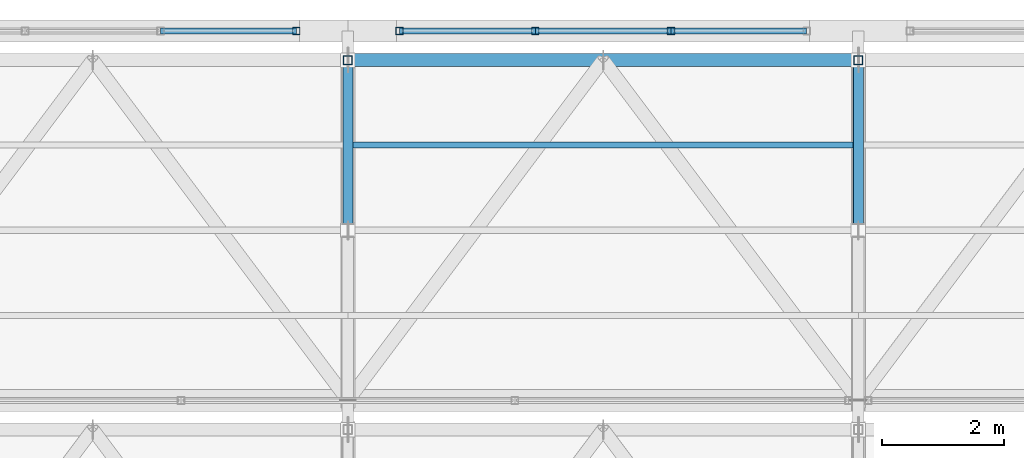
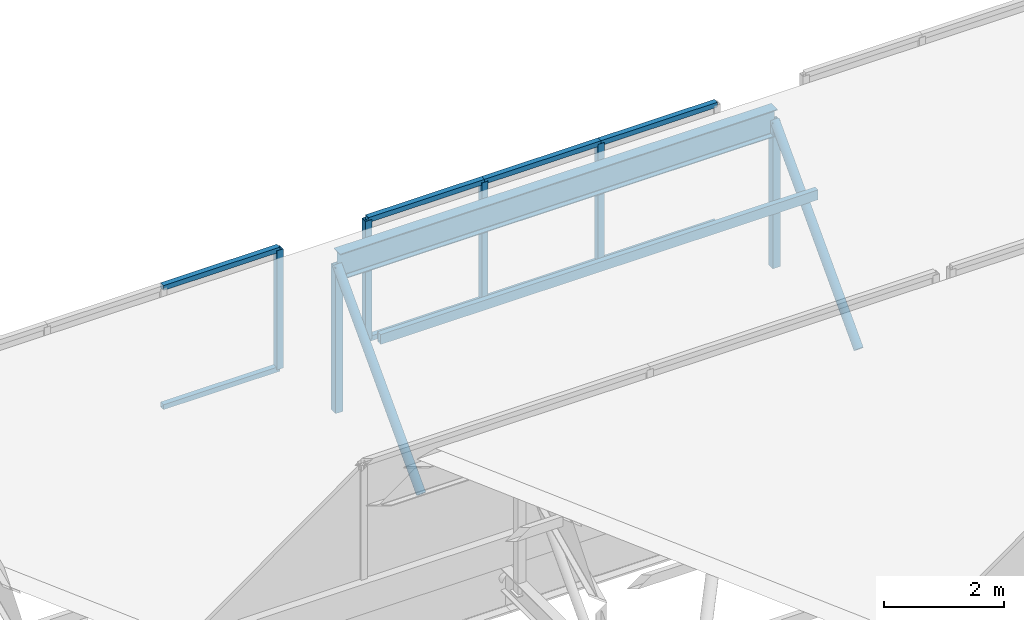
# One storey, part 114 of 217: 18 members, 2 elements without a shape of their own.
"""IFC4 building model written with IfcOpenShell, lengths in metres."""

from ifc_helpers import new_model, si_unit, direction, frame, origin, origin_2d, place, context, subcontext, project, spatial, hollow_rectangle, hollow_circle, i_section, extrude, material, material_profile, profile_set, type_object, element, aggregate, save


model = new_model("IFC4")

# Units and contexts
model_context = context("Model", 3, precision=1e-05, world=origin(), true_north=direction((0.0, 1.0)))
body_context = subcontext(model_context, "Body", "Model", "MODEL_VIEW")
ifc_project = project(units=[si_unit("LENGTHUNIT", "METRE"), si_unit("AREAUNIT", "SQUARE_METRE"), si_unit("VOLUMEUNIT", "CUBIC_METRE"), si_unit("PLANEANGLEUNIT", "RADIAN"), si_unit("MASSUNIT", "GRAM", prefix="KILO")], contexts=[model_context])

# Site, building, storey
site_placement = place(None, origin())
site = spatial("IfcSite", under=ifc_project, at=site_placement, CompositionType="ELEMENT")
building_placement = place(site_placement, origin())
building = spatial("IfcBuilding", under=site, at=building_placement, Name="Zuvorla Pavilion Media Centre", CompositionType="ELEMENT")
storey_placement = place(building_placement, frame((0.0, 0.0, 9.60009765625)))
storey = spatial("IfcBuildingStorey", under=building, at=storey_placement, Name="L02", CompositionType="ELEMENT", Elevation=9.60009765625)

# Curtain wall, member
ifc_material_1 = material(Name="Unitised anodised aluminium and solar glass curtain wall", Category="aluminium")
curtain_wall_type = type_object("IfcCurtainWallType", Name="CW-SYS-89", PredefinedType="USERDEFINED", material=ifc_material_1)
curtain_wall_1_placement = place(storey_placement, origin())
curtain_wall_1 = element("IfcCurtainWall", 1, at=curtain_wall_1_placement, inside=storey, type_object=curtain_wall_type, Name="L02 curtain wall CW89 216", ObjectType="CURTAIN WALL", PredefinedType="USERDEFINED")
ifc_material_2 = material(Name="Anodised aluminium 6063-T6", Category="aluminium")
ifc_material_profile_1 = material_profile(ifc_material_2, hollow_rectangle(XDim=0.1201171875, YDim=0.1201171875, WallThickness=0.0048828125, at=origin_2d()), Name="ALU MULL 120x120")
ifc_profile_set_1 = profile_set([ifc_material_profile_1], Name="Anodised aluminium 6063-T6")
member_type_1 = type_object("IfcMemberType", Name="CW-MULL-120", PredefinedType="MULLION", material=ifc_profile_set_1)
member_1_placement = place(storey_placement, frame((74.349609375, 120.0, 0.0), z_axis=(0.0, 0.0, 1.0), x_axis=(1.0, 0.0, 0.0)))
member_1 = element("IfcMember", 2, at=member_1_placement, type_object=member_type_1, Name="CW89 mullion 4", PredefinedType="MULLION", context=body_context, shape_type="SweptSolid", body=[
    extrude(hollow_rectangle(XDim=0.1201171875, YDim=0.1201171875, WallThickness=0.0048828125, at=origin_2d()), origin(), (0.0, 0.0, 1.0), 2.419921875),
])

# Curtain wall, members
curtain_wall_2_placement = place(storey_placement, origin())
curtain_wall_2 = element("IfcCurtainWall", 3, at=curtain_wall_2_placement, inside=storey, type_object=curtain_wall_type, Name="L02 curtain wall CW89 217", ObjectType="CURTAIN WALL", PredefinedType="USERDEFINED")
member_2_placement = place(storey_placement, frame((76.05029296875, 120.0, 0.0), z_axis=(0.0, 0.0, 1.0), x_axis=(1.0, 0.0, 0.0)))
member_2 = element("IfcMember", 4, at=member_2_placement, type_object=member_type_1, Name="CW89 mullion 1", PredefinedType="MULLION", context=body_context, shape_type="SweptSolid", body=[
    extrude(hollow_rectangle(XDim=0.1201171875, YDim=0.1201171875, WallThickness=0.0048828125, at=origin_2d()), origin(), (0.0, 0.0, 1.0), 2.419921875),
])
member_3_placement = place(storey_placement, frame((78.283447265625, 120.0, 0.0), z_axis=(0.0, 0.0, 1.0), x_axis=(1.0, 0.0, 0.0)))
member_3 = element("IfcMember", 5, at=member_3_placement, type_object=member_type_1, Name="CW89 mullion 2", PredefinedType="MULLION", context=body_context, shape_type="SweptSolid", body=[
    extrude(hollow_rectangle(XDim=0.1201171875, YDim=0.1201171875, WallThickness=0.0048828125, at=origin_2d()), origin(), (0.0, 0.0, 1.0), 2.419921875),
])
member_4_placement = place(storey_placement, frame((80.5166015625, 120.0, 0.0), z_axis=(0.0, 0.0, 1.0), x_axis=(1.0, 0.0, 0.0)))
member_4 = element("IfcMember", 6, at=member_4_placement, type_object=member_type_1, Name="CW89 mullion 3", PredefinedType="MULLION", context=body_context, shape_type="SweptSolid", body=[
    extrude(hollow_rectangle(XDim=0.1201171875, YDim=0.1201171875, WallThickness=0.0048828125, at=origin_2d()), origin(), (0.0, 0.0, 1.0), 2.419921875),
])

# Member
ifc_material_profile_2 = material_profile(ifc_material_2, hollow_rectangle(XDim=0.10009765625, YDim=0.10009765625, WallThickness=0.00439453125, at=origin_2d()), Name="ALU TRAN 100x100")
ifc_profile_set_2 = profile_set([ifc_material_profile_2], Name="Anodised aluminium 6063-T6")
member_type_2 = type_object("IfcMemberType", Name="CW-TRAN-100", PredefinedType="USERDEFINED", material=ifc_profile_set_2)
member_5_placement = place(storey_placement, frame((72.116455078125, 120.0, 0.0), z_axis=(1.0, 0.0, 0.0), x_axis=(0.0, 1.0, 0.0)))
member_5 = element("IfcMember", 7, at=member_5_placement, type_object=member_type_2, Name="CW89 transom 3.1", ObjectType="TRANSOM", PredefinedType="USERDEFINED", context=body_context, shape_type="SweptSolid", body=[
    extrude(hollow_rectangle(XDim=0.10009765625, YDim=0.10009765625, WallThickness=0.00439453125, at=origin_2d()), origin(), (0.0, 0.0, 1.0), 2.233154296875),
])

member_6_placement = place(storey_placement, frame((72.116455078125, 120.0, 2.419921875), z_axis=(1.0, 0.0, 0.0), x_axis=(0.0, 1.0, 0.0)))
member_6 = element("IfcMember", 8, at=member_6_placement, type_object=member_type_2, Name="CW89 transom 3.2", ObjectType="TRANSOM", PredefinedType="USERDEFINED", context=body_context, shape_type="SweptSolid", body=[
    extrude(hollow_rectangle(XDim=0.10009765625, YDim=0.10009765625, WallThickness=0.00439453125, at=origin_2d()), origin(), (0.0, 0.0, 1.0), 2.233154296875),
])

aggregate(curtain_wall_1, [member_1, member_5, member_6])

member_7_placement = place(storey_placement, frame((76.05029296875, 120.0, 0.0), z_axis=(1.0, 0.0, 0.0), x_axis=(0.0, 1.0, 0.0)))
member_7 = element("IfcMember", 9, at=member_7_placement, type_object=member_type_2, Name="CW89 transom 1.1", ObjectType="TRANSOM", PredefinedType="USERDEFINED", context=body_context, shape_type="SweptSolid", body=[
    extrude(hollow_rectangle(XDim=0.10009765625, YDim=0.10009765625, WallThickness=0.00439453125, at=origin_2d()), origin(), (0.0, 0.0, 1.0), 2.233154296875),
])

member_8_placement = place(storey_placement, frame((76.05029296875, 120.0, 2.419921875), z_axis=(1.0, 0.0, 0.0), x_axis=(0.0, 1.0, 0.0)))
member_8 = element("IfcMember", 10, at=member_8_placement, type_object=member_type_2, Name="CW89 transom 1.2", ObjectType="TRANSOM", PredefinedType="USERDEFINED", context=body_context, shape_type="SweptSolid", body=[
    extrude(hollow_rectangle(XDim=0.10009765625, YDim=0.10009765625, WallThickness=0.00439453125, at=origin_2d()), origin(), (0.0, 0.0, 1.0), 2.233154296875),
])

member_9_placement = place(storey_placement, frame((78.283447265625, 120.0, 0.0), z_axis=(1.0, 0.0, 0.0), x_axis=(0.0, 1.0, 0.0)))
member_9 = element("IfcMember", 11, at=member_9_placement, type_object=member_type_2, Name="CW89 transom 2.1", ObjectType="TRANSOM", PredefinedType="USERDEFINED", context=body_context, shape_type="SweptSolid", body=[
    extrude(hollow_rectangle(XDim=0.10009765625, YDim=0.10009765625, WallThickness=0.00439453125, at=origin_2d()), origin(), (0.0, 0.0, 1.0), 2.233154296875),
])

member_10_placement = place(storey_placement, frame((78.283447265625, 120.0, 2.419921875), z_axis=(1.0, 0.0, 0.0), x_axis=(0.0, 1.0, 0.0)))
member_10 = element("IfcMember", 12, at=member_10_placement, type_object=member_type_2, Name="CW89 transom 2.2", ObjectType="TRANSOM", PredefinedType="USERDEFINED", context=body_context, shape_type="SweptSolid", body=[
    extrude(hollow_rectangle(XDim=0.10009765625, YDim=0.10009765625, WallThickness=0.00439453125, at=origin_2d()), origin(), (0.0, 0.0, 1.0), 2.233154296875),
])

member_11_placement = place(storey_placement, frame((80.5166015625, 120.0, 0.0), z_axis=(1.0, 0.0, 0.0), x_axis=(0.0, 1.0, 0.0)))
member_11 = element("IfcMember", 13, at=member_11_placement, type_object=member_type_2, Name="CW89 transom 3.1", ObjectType="TRANSOM", PredefinedType="USERDEFINED", context=body_context, shape_type="SweptSolid", body=[
    extrude(hollow_rectangle(XDim=0.10009765625, YDim=0.10009765625, WallThickness=0.00439453125, at=origin_2d()), origin(), (0.0, 0.0, 1.0), 2.233154296875),
])

member_12_placement = place(storey_placement, frame((80.5166015625, 120.0, 2.419921875), z_axis=(1.0, 0.0, 0.0), x_axis=(0.0, 1.0, 0.0)))
member_12 = element("IfcMember", 14, at=member_12_placement, type_object=member_type_2, Name="CW89 transom 3.2", ObjectType="TRANSOM", PredefinedType="USERDEFINED", context=body_context, shape_type="SweptSolid", body=[
    extrude(hollow_rectangle(XDim=0.10009765625, YDim=0.10009765625, WallThickness=0.00439453125, at=origin_2d()), origin(), (0.0, 0.0, 1.0), 2.233154296875),
])

aggregate(curtain_wall_2, [member_2, member_3, member_4, member_7, member_8, member_9, member_10, member_11, member_12])

# Members
ifc_material_3 = material(Name="Steel S355", Category="steel")
ifc_material_profile_3 = material_profile(ifc_material_3, hollow_circle(Radius=0.084228515625, WallThickness=0.008056640625, at=origin_2d()), Name="CHS 168.3x8")
ifc_profile_set_3 = profile_set([ifc_material_profile_3], Name="Steel S355")
member_type_3 = type_object("IfcMemberType", Name="MEM-BRC-CHS168", PredefinedType="BRACE", material=ifc_profile_set_3)
for number, where, z_axis, x_axis, name in (
    (15, (75.199951171875, 116.719970703125, -0.880126953125), (0.0, 0.68676242614, 0.726881950555), (-1.0, 0.0, 0.0), "L02 diagonal brace TB03 413"),
    (16, (83.60009765625, 116.719970703125, -0.880126953125), (0.0, 0.68676242614, 0.726881950555), (-1.0, 0.0, 0.0), "L02 diagonal brace TB03 418"),
):
    element("IfcMember", number, at=place(storey_placement, frame(where, z_axis=z_axis, x_axis=x_axis)), inside=storey, type_object=member_type_3, Name=name, PredefinedType="BRACE", context=body_context, shape_type="SweptSolid", body=[
        extrude(hollow_circle(Radius=0.084228515625, WallThickness=0.008056640625, at=origin_2d()), origin(), (0.0, 0.0, 1.0), 4.0771484375),
    ])
ifc_material_profile_4 = material_profile(ifc_material_3, i_section(OverallWidth=0.2099609375, OverallDepth=0.53662109375, WebThickness=0.0107421875, FlangeThickness=0.017333984375, FilletRadius=0.0126953125, at=origin_2d()), Name="UB 533x210x101")
ifc_profile_set_4 = profile_set([ifc_material_profile_4], Name="Steel S355")
member_type_4 = type_object("IfcMemberType", Name="MEM-CHD-UB533", PredefinedType="CHORD", material=ifc_profile_set_4)
member_13_placement = place(storey_placement, frame((75.199951171875, 119.52001953125, 2.08349609375), z_axis=(1.0, 0.0, 0.0), x_axis=(0.0, 1.0, 0.0)))
element("IfcMember", 17, at=member_13_placement, inside=storey, type_object=member_type_4, Name="L02 chord TC02 456", PredefinedType="CHORD", context=body_context, shape_type="SweptSolid", body=[
    extrude(i_section(OverallWidth=0.2099609375, OverallDepth=0.53662109375, WebThickness=0.0107421875, FlangeThickness=0.017333984375, FilletRadius=0.0126953125, at=origin_2d()), origin(), (0.0, 0.0, 1.0), 8.400146484375),
])
ifc_material_profile_5 = material_profile(ifc_material_3, hollow_rectangle(XDim=0.10009765625, YDim=0.199951171875, WallThickness=0.008056640625, at=origin_2d()), Name="RHS 200x100x8")
ifc_profile_set_5 = profile_set([ifc_material_profile_5], Name="Steel S355")
member_type_5 = type_object("IfcMemberType", Name="MEM-PUR-RHS200", PredefinedType="PURLIN", material=ifc_profile_set_5)
member_14_placement = place(storey_placement, frame((75.199951171875, 118.1201171875, 1.43359375), z_axis=(1.0, 0.0, 0.0), x_axis=(0.0, 1.0, 0.0)))
element("IfcMember", 18, at=member_14_placement, inside=storey, type_object=member_type_5, Name="L02 purlin PR01 461", PredefinedType="PURLIN", context=body_context, shape_type="SweptSolid", body=[
    extrude(hollow_rectangle(XDim=0.10009765625, YDim=0.199951171875, WallThickness=0.008056640625, at=origin_2d()), origin(), (0.0, 0.0, 1.0), 8.400146484375),
])
ifc_material_profile_6 = material_profile(ifc_material_3, hollow_rectangle(XDim=0.14990234375, YDim=0.14990234375, WallThickness=0.008056640625, at=origin_2d()), Name="SHS 150x150x8")
ifc_profile_set_6 = profile_set([ifc_material_profile_6], Name="Steel S355")
member_type_6 = type_object("IfcMemberType", Name="MEM-STR-SHS150", PredefinedType="STRUT", material=ifc_profile_set_6)
for number, where, z_axis, x_axis, name in (
    (19, (75.199951171875, 119.52001953125, -0.880126953125), (0.0, 0.0, 1.0), (1.0, 0.0, 0.0), "L02 vertical strut TS01 412"),
    (20, (83.60009765625, 119.52001953125, -0.880126953125), (0.0, 0.0, 1.0), (1.0, 0.0, 0.0), "L02 vertical strut TS01 417"),
):
    element("IfcMember", number, at=place(storey_placement, frame(where, z_axis=z_axis, x_axis=x_axis)), inside=storey, type_object=member_type_6, Name=name, PredefinedType="STRUT", context=body_context, shape_type="SweptSolid", body=[
        extrude(hollow_rectangle(XDim=0.14990234375, YDim=0.14990234375, WallThickness=0.008056640625, at=origin_2d()), origin(), (0.0, 0.0, 1.0), 2.963623046875),
    ])

save(model, "model.ifc")
